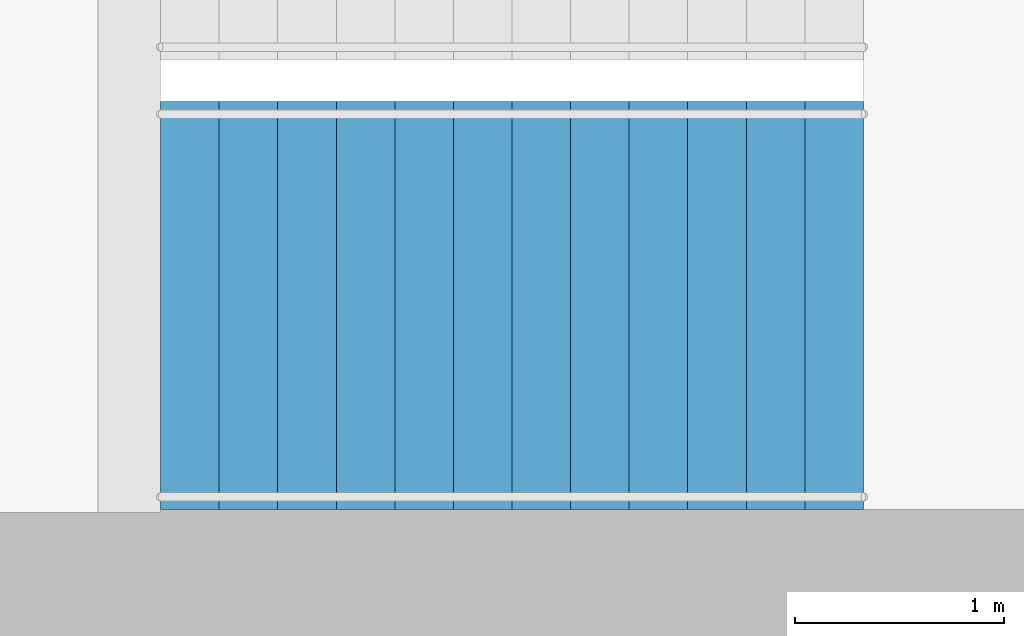
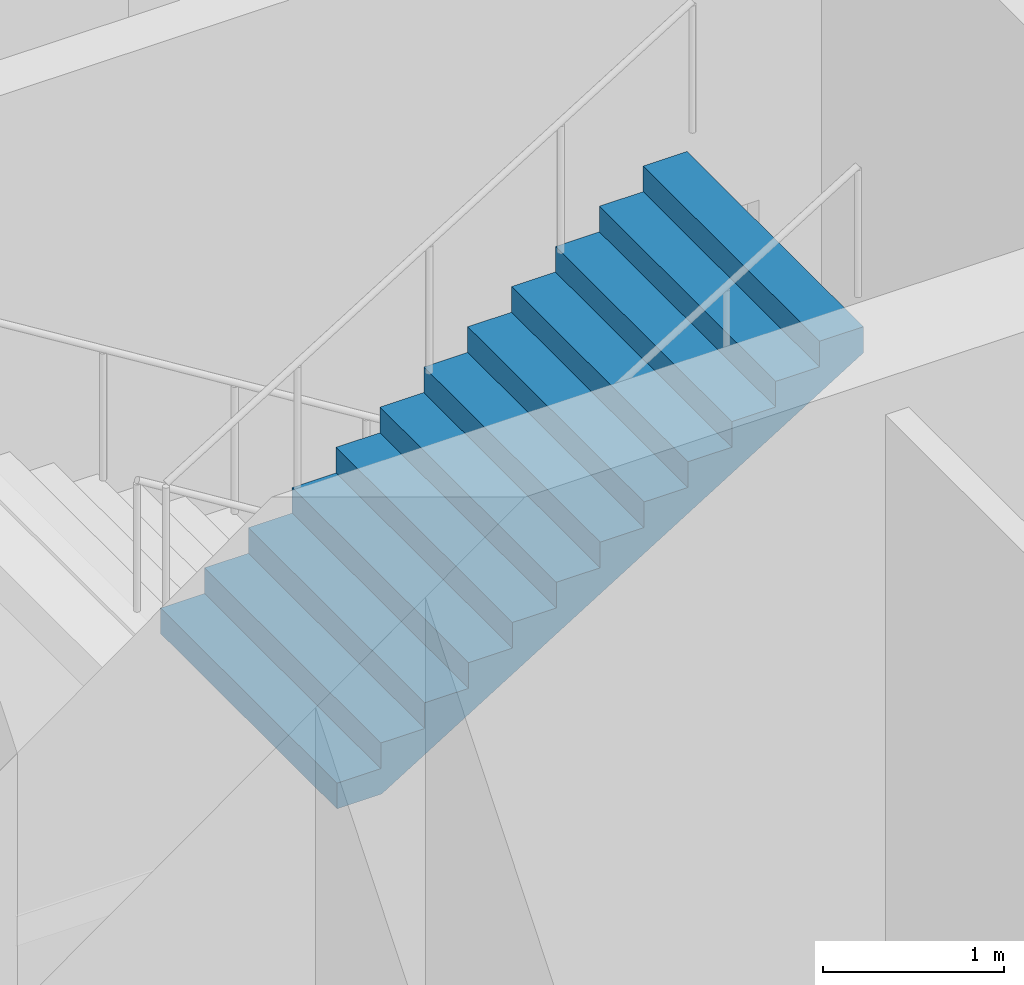
# One storey, part 24 of 35: 1 stair flight, 1 element without a shape of its own.
"""IFC4 building model written with IfcOpenShell, lengths in metres."""

from ifc_helpers import new_model, si_unit, direction, frame, origin, place, context, subcontext, project, spatial, triangles, material, type_object, element, aggregate, save


model = new_model("IFC4")

# Units and contexts
model_context = context("Model", 3, precision=1e-05, world=origin(), true_north=direction((0.0, 1.0)))
body_context = subcontext(model_context, "Body", "Model", "MODEL_VIEW")
ifc_project = project(units=[si_unit("LENGTHUNIT", "METRE"), si_unit("AREAUNIT", "SQUARE_METRE"), si_unit("VOLUMEUNIT", "CUBIC_METRE"), si_unit("PLANEANGLEUNIT", "RADIAN"), si_unit("MASSUNIT", "GRAM", prefix="KILO")], contexts=[model_context])

# Site, building, storey
site_placement = place(None, origin())
site = spatial("IfcSite", under=ifc_project, at=site_placement, CompositionType="ELEMENT")
building_placement = place(site_placement, origin())
building = spatial("IfcBuilding", under=site, at=building_placement, Name="Orbita Commons", CompositionType="ELEMENT")
storey_placement = place(building_placement, frame((0.0, 0.0, 208.300048828125)))
storey = spatial("IfcBuildingStorey", under=building, at=storey_placement, Name="L51", CompositionType="ELEMENT", Elevation=208.300048828125)

# Stair, stair flight
ifc_material_1 = material(Name="Precast concrete C40/50", Category="concrete")
stair_type = type_object("IfcStairType", Name="Exit stair S2 2 flights 13 risers 173", PredefinedType="HALF_TURN_STAIR", material=ifc_material_1)
stair_placement = place(storey_placement, origin())
stair = element("IfcStair", 1, at=stair_placement, inside=storey, type_object=stair_type, Name="Exit stair S2 L51", PredefinedType="HALF_TURN_STAIR")
ifc_material_2 = material(Name="Precast concrete C40/50", Category="concrete")
stair_flight_type = type_object("IfcStairFlightType", Name="Stair flight 13 risers 173 x 280", PredefinedType="STRAIGHT", material=ifc_material_2)
stair_flight_placement = place(storey_placement, frame((60.18994140625, 27.125, 2.25), z_axis=(0.0, 0.0, 1.0), x_axis=(1.0, 0.0, 0.0)))
stair_flight = element("IfcStairFlight", 2, at=stair_flight_placement, type_object=stair_flight_type, Name="S2 flight 2", NumberOfRisers=13, NumberOfTreads=12, PredefinedType="STRAIGHT", RiserHeight=0.173076923, TreadLength=0.28, context=body_context, shape_type="Tessellation", body=[
    triangles([(0.0, 0.974976, 0.0), (0.0, 0.974976, 0.021635), (0.0, 0.81248, 0.021635), (0.0, 0.81248, 0.0), (0.0, 0.649984, 0.021635), (0.0, 0.649984, 0.0), (0.0, 0.487488, 0.021635), (0.0, 0.487488, 0.0), (0.0, 0.324992, 0.021635), (0.0, 0.324992, 0.0), (0.0, 0.162496, 0.021635), (0.0, 0.162496, 0.0), (0.0, 0.0, 0.021635), (0.0, 0.0, 0.0), (0.0, -0.162496, 0.021635), (0.0, -0.162496, 0.0), (0.0, -0.324992, 0.021635), (0.0, -0.324992, 0.0), (0.0, -0.487488, 0.021635), (0.0, -0.487488, 0.0), (0.0, -0.649984, 0.021635), (0.0, -0.649984, 0.0), (0.0, -0.81248, 0.021635), (0.0, -0.81248, 0.0), (0.0, -0.974976, 0.021635), (0.0, -0.974976, 0.0), (0.0, 0.974976, 0.043269), (0.0, 0.81248, 0.043269), (0.0, 0.649984, 0.043269), (0.0, 0.487488, 0.043269), (0.0, 0.324992, 0.043269), (0.0, 0.162496, 0.043269), (0.0, 0.0, 0.043269), (0.0, -0.162496, 0.043269), (0.0, -0.324992, 0.043269), (0.0, -0.487488, 0.043269), (0.0, -0.649984, 0.043269), (0.0, -0.81248, 0.043269), (0.0, -0.974976, 0.043269), (0.0, 0.974976, 0.064904), (0.0, 0.81248, 0.064904), (0.0, 0.649984, 0.064904), (0.0, 0.487488, 0.064904), (0.0, 0.324992, 0.064904), (0.0, 0.162496, 0.064904), (0.0, 0.0, 0.064904), (0.0, -0.162496, 0.064904), (0.0, -0.324992, 0.064904), (0.0, -0.487488, 0.064904), (0.0, -0.649984, 0.064904), (0.0, -0.81248, 0.064904), (0.0, -0.974976, 0.064904), (0.0, 0.974976, 0.086538), (0.0, 0.81248, 0.086538), (0.0, 0.649984, 0.086538), (0.0, 0.487488, 0.086538), (0.0, 0.324992, 0.086538), (0.0, 0.162496, 0.086538), (0.0, 0.0, 0.086538), (0.0, -0.162496, 0.086538), (0.0, -0.324992, 0.086538), (0.0, -0.487488, 0.086538), (0.0, -0.649984, 0.086538), (0.0, -0.81248, 0.086538), (0.0, -0.974976, 0.086538), (0.0, 0.974976, 0.108173), (0.0, 0.81248, 0.108173), (0.0, 0.649984, 0.108173), (0.0, 0.487488, 0.108173), (0.0, 0.324992, 0.108173), (0.0, 0.162496, 0.108173), (0.0, 0.0, 0.108173), (0.0, -0.162496, 0.108173), (0.0, -0.324992, 0.108173), (0.0, -0.487488, 0.108173), (0.0, -0.649984, 0.108173), (0.0, -0.81248, 0.108173), (0.0, -0.974976, 0.108173), (0.0, 0.974976, 0.129808), (0.0, 0.81248, 0.129808), (0.0, 0.649984, 0.129808), (0.0, 0.487488, 0.129808), (0.0, 0.324992, 0.129808), (0.0, 0.162496, 0.129808), (0.0, 0.0, 0.129808), (0.0, -0.162496, 0.129808), (0.0, -0.324992, 0.129808), (0.0, -0.487488, 0.129808), (0.0, -0.649984, 0.129808), (0.0, -0.81248, 0.129808), (0.0, -0.974976, 0.129808), (0.0, 0.974976, 0.151442), (0.0, 0.81248, 0.151442), (0.0, 0.649984, 0.151442), (0.0, 0.487488, 0.151442), (0.0, 0.324992, 0.151442), (0.0, 0.162496, 0.151442), (0.0, 0.0, 0.151442), (0.0, -0.162496, 0.151442), (0.0, -0.324992, 0.151442), (0.0, -0.487488, 0.151442), (0.0, -0.649984, 0.151442), (0.0, -0.81248, 0.151442), (0.0, -0.974976, 0.151442), (0.0, 0.974976, 0.173077), (0.0, 0.81248, 0.173077), (0.0, 0.649984, 0.173077), (0.0, 0.487488, 0.173077), (0.0, 0.324992, 0.173077), (0.0, 0.162496, 0.173077), (0.0, 0.0, 0.173077), (0.0, -0.162496, 0.173077), (0.0, -0.324992, 0.173077), (0.0, -0.487488, 0.173077), (0.0, -0.649984, 0.173077), (0.0, -0.81248, 0.173077), (0.0, -0.974976, 0.173077), (0.28, 0.974976, 0.173077), (0.28, 0.81248, 0.173077), (0.28, 0.649984, 0.173077), (0.28, 0.487488, 0.173077), (0.28, 0.324992, 0.173077), (0.28, 0.162496, 0.173077), (0.28, 0.0, 0.173077), (0.28, -0.162496, 0.173077), (0.28, -0.324992, 0.173077), (0.28, -0.487488, 0.173077), (0.28, -0.649984, 0.173077), (0.28, -0.81248, 0.173077), (0.28, -0.974976, 0.173077), (0.28, 0.974976, 0.346154), (0.28, 0.81248, 0.346154), (0.28, 0.649984, 0.346154), (0.28, 0.487488, 0.346154), (0.28, 0.324992, 0.346154), (0.28, 0.162496, 0.346154), (0.28, 0.0, 0.346154), (0.28, -0.162496, 0.346154), (0.28, -0.324992, 0.346154), (0.28, -0.487488, 0.346154), (0.28, -0.649984, 0.346154), (0.28, -0.81248, 0.346154), (0.28, -0.974976, 0.346154), (0.56, 0.974976, 0.346154), (0.56, 0.81248, 0.346154), (0.56, 0.649984, 0.346154), (0.56, 0.487488, 0.346154), (0.56, 0.324992, 0.346154), (0.56, 0.162496, 0.346154), (0.56, 0.0, 0.346154), (0.56, -0.162496, 0.346154), (0.56, -0.324992, 0.346154), (0.56, -0.487488, 0.346154), (0.56, -0.649984, 0.346154), (0.56, -0.81248, 0.346154), (0.56, -0.974976, 0.346154), (0.56, 0.974976, 0.519231), (0.56, 0.81248, 0.519231), (0.56, 0.649984, 0.519231), (0.56, 0.487488, 0.519231), (0.56, 0.324992, 0.519231), (0.56, 0.162496, 0.519231), (0.56, 0.0, 0.519231), (0.56, -0.162496, 0.519231), (0.56, -0.324992, 0.519231), (0.56, -0.487488, 0.519231), (0.56, -0.649984, 0.519231), (0.56, -0.81248, 0.519231), (0.56, -0.974976, 0.519231), (0.84, 0.974976, 0.519231), (0.84, 0.81248, 0.519231), (0.84, 0.649984, 0.519231), (0.84, 0.487488, 0.519231), (0.84, 0.324992, 0.519231), (0.84, 0.162496, 0.519231), (0.84, 0.0, 0.519231), (0.84, -0.162496, 0.519231), (0.84, -0.324992, 0.519231), (0.84, -0.487488, 0.519231), (0.84, -0.649984, 0.519231), (0.84, -0.81248, 0.519231), (0.84, -0.974976, 0.519231), (0.84, 0.974976, 0.692308), (0.84, 0.81248, 0.692308), (0.84, 0.649984, 0.692308), (0.84, 0.487488, 0.692308), (0.84, 0.324992, 0.692308), (0.84, 0.162496, 0.692308), (0.84, 0.0, 0.692308), (0.84, -0.162496, 0.692308), (0.84, -0.324992, 0.692308), (0.84, -0.487488, 0.692308), (0.84, -0.649984, 0.692308), (0.84, -0.81248, 0.692308), (0.84, -0.974976, 0.692308), (1.12, 0.974976, 0.692308), (1.12, 0.81248, 0.692308), (1.12, 0.649984, 0.692308), (1.12, 0.487488, 0.692308), (1.12, 0.324992, 0.692308), (1.12, 0.162496, 0.692308), (1.12, 0.0, 0.692308), (1.12, -0.162496, 0.692308), (1.12, -0.324992, 0.692308), (1.12, -0.487488, 0.692308), (1.12, -0.649984, 0.692308), (1.12, -0.81248, 0.692308), (1.12, -0.974976, 0.692308), (1.12, 0.974976, 0.865385), (1.12, 0.81248, 0.865385), (1.12, 0.649984, 0.865385), (1.12, 0.487488, 0.865385), (1.12, 0.324992, 0.865385), (1.12, 0.162496, 0.865385), (1.12, 0.0, 0.865385), (1.12, -0.162496, 0.865385), (1.12, -0.324992, 0.865385), (1.12, -0.487488, 0.865385), (1.12, -0.649984, 0.865385), (1.12, -0.81248, 0.865385), (1.12, -0.974976, 0.865385), (1.4, 0.974976, 0.865385), (1.4, 0.81248, 0.865385), (1.4, 0.649984, 0.865385), (1.4, 0.487488, 0.865385), (1.4, 0.324992, 0.865385), (1.4, 0.162496, 0.865385), (1.4, 0.0, 0.865385), (1.4, -0.162496, 0.865385), (1.4, -0.324992, 0.865385), (1.4, -0.487488, 0.865385), (1.4, -0.649984, 0.865385), (1.4, -0.81248, 0.865385), (1.4, -0.974976, 0.865385), (1.4, 0.974976, 1.038462), (1.4, 0.81248, 1.038462), (1.4, 0.649984, 1.038462), (1.4, 0.487488, 1.038462), (1.4, 0.324992, 1.038462), (1.4, 0.162496, 1.038462), (1.4, 0.0, 1.038462), (1.4, -0.162496, 1.038462), (1.4, -0.324992, 1.038462), (1.4, -0.487488, 1.038462), (1.4, -0.649984, 1.038462), (1.4, -0.81248, 1.038462), (1.4, -0.974976, 1.038462), (1.68, 0.974976, 1.038462), (1.68, 0.81248, 1.038462), (1.68, 0.649984, 1.038462), (1.68, 0.487488, 1.038462), (1.68, 0.324992, 1.038462), (1.68, 0.162496, 1.038462), (1.68, 0.0, 1.038462), (1.68, -0.162496, 1.038462), (1.68, -0.324992, 1.038462), (1.68, -0.487488, 1.038462), (1.68, -0.649984, 1.038462), (1.68, -0.81248, 1.038462), (1.68, -0.974976, 1.038462), (1.68, 0.974976, 1.211538), (1.68, 0.81248, 1.211538), (1.68, 0.649984, 1.211538), (1.68, 0.487488, 1.211538), (1.68, 0.324992, 1.211538), (1.68, 0.162496, 1.211538), (1.68, 0.0, 1.211538), (1.68, -0.162496, 1.211538), (1.68, -0.324992, 1.211538), (1.68, -0.487488, 1.211538), (1.68, -0.649984, 1.211538), (1.68, -0.81248, 1.211538), (1.68, -0.974976, 1.211538), (1.96, 0.974976, 1.211538), (1.96, 0.81248, 1.211538), (1.96, 0.649984, 1.211538), (1.96, 0.487488, 1.211538), (1.96, 0.324992, 1.211538), (1.96, 0.162496, 1.211538), (1.96, 0.0, 1.211538), (1.96, -0.162496, 1.211538), (1.96, -0.324992, 1.211538), (1.96, -0.487488, 1.211538), (1.96, -0.649984, 1.211538), (1.96, -0.81248, 1.211538), (1.96, -0.974976, 1.211538), (1.96, 0.974976, 1.384615), (1.96, 0.81248, 1.384615), (1.96, 0.649984, 1.384615), (1.96, 0.487488, 1.384615), (1.96, 0.324992, 1.384615), (1.96, 0.162496, 1.384615), (1.96, 0.0, 1.384615), (1.96, -0.162496, 1.384615), (1.96, -0.324992, 1.384615), (1.96, -0.487488, 1.384615), (1.96, -0.649984, 1.384615), (1.96, -0.81248, 1.384615), (1.96, -0.974976, 1.384615), (2.24, 0.974976, 1.384615), (2.24, 0.81248, 1.384615), (2.24, 0.649984, 1.384615), (2.24, 0.487488, 1.384615), (2.24, 0.324992, 1.384615), (2.24, 0.162496, 1.384615), (2.24, 0.0, 1.384615), (2.24, -0.162496, 1.384615), (2.24, -0.324992, 1.384615), (2.24, -0.487488, 1.384615), (2.24, -0.649984, 1.384615), (2.24, -0.81248, 1.384615), (2.24, -0.974976, 1.384615), (2.24, 0.974976, 1.557692), (2.24, 0.81248, 1.557692), (2.24, 0.649984, 1.557692), (2.24, 0.487488, 1.557692), (2.24, 0.324992, 1.557692), (2.24, 0.162496, 1.557692), (2.24, 0.0, 1.557692), (2.24, -0.162496, 1.557692), (2.24, -0.324992, 1.557692), (2.24, -0.487488, 1.557692), (2.24, -0.649984, 1.557692), (2.24, -0.81248, 1.557692), (2.24, -0.974976, 1.557692), (2.52, 0.974976, 1.557692), (2.52, 0.81248, 1.557692), (2.52, 0.649984, 1.557692), (2.52, 0.487488, 1.557692), (2.52, 0.324992, 1.557692), (2.52, 0.162496, 1.557692), (2.52, 0.0, 1.557692), (2.52, -0.162496, 1.557692), (2.52, -0.324992, 1.557692), (2.52, -0.487488, 1.557692), (2.52, -0.649984, 1.557692), (2.52, -0.81248, 1.557692), (2.52, -0.974976, 1.557692), (2.52, 0.974976, 1.730769), (2.52, 0.81248, 1.730769), (2.52, 0.649984, 1.730769), (2.52, 0.487488, 1.730769), (2.52, 0.324992, 1.730769), (2.52, 0.162496, 1.730769), (2.52, 0.0, 1.730769), (2.52, -0.162496, 1.730769), (2.52, -0.324992, 1.730769), (2.52, -0.487488, 1.730769), (2.52, -0.649984, 1.730769), (2.52, -0.81248, 1.730769), (2.52, -0.974976, 1.730769), (2.8, 0.974976, 1.730769), (2.8, 0.81248, 1.730769), (2.8, 0.649984, 1.730769), (2.8, 0.487488, 1.730769), (2.8, 0.324992, 1.730769), (2.8, 0.162496, 1.730769), (2.8, 0.0, 1.730769), (2.8, -0.162496, 1.730769), (2.8, -0.324992, 1.730769), (2.8, -0.487488, 1.730769), (2.8, -0.649984, 1.730769), (2.8, -0.81248, 1.730769), (2.8, -0.974976, 1.730769), (2.8, 0.974976, 1.903846), (2.8, 0.81248, 1.903846), (2.8, 0.649984, 1.903846), (2.8, 0.487488, 1.903846), (2.8, 0.324992, 1.903846), (2.8, 0.162496, 1.903846), (2.8, 0.0, 1.903846), (2.8, -0.162496, 1.903846), (2.8, -0.324992, 1.903846), (2.8, -0.487488, 1.903846), (2.8, -0.649984, 1.903846), (2.8, -0.81248, 1.903846), (2.8, -0.974976, 1.903846), (3.08, 0.974976, 1.903846), (3.08, 0.81248, 1.903846), (3.08, 0.649984, 1.903846), (3.08, 0.487488, 1.903846), (3.08, 0.324992, 1.903846), (3.08, 0.162496, 1.903846), (3.08, 0.0, 1.903846), (3.08, -0.162496, 1.903846), (3.08, -0.324992, 1.903846), (3.08, -0.487488, 1.903846), (3.08, -0.649984, 1.903846), (3.08, -0.81248, 1.903846), (3.08, -0.974976, 1.903846), (3.08, 0.974976, 2.076923), (3.08, 0.81248, 2.076923), (3.08, 0.649984, 2.076923), (3.08, 0.487488, 2.076923), (3.08, 0.324992, 2.076923), (3.08, 0.162496, 2.076923), (3.08, 0.0, 2.076923), (3.08, -0.162496, 2.076923), (3.08, -0.324992, 2.076923), (3.08, -0.487488, 2.076923), (3.08, -0.649984, 2.076923), (3.08, -0.81248, 2.076923), (3.08, -0.974976, 2.076923), (3.36, 0.974976, 2.076923), (3.36, 0.81248, 2.076923), (3.36, 0.649984, 2.076923), (3.36, 0.487488, 2.076923), (3.36, 0.324992, 2.076923), (3.36, 0.162496, 2.076923), (3.36, 0.0, 2.076923), (3.36, -0.162496, 2.076923), (3.36, -0.324992, 2.076923), (3.36, -0.487488, 2.076923), (3.36, -0.649984, 2.076923), (3.36, -0.81248, 2.076923), (3.36, -0.974976, 2.076923), (3.36, 0.974976, 2.054895), (3.36, 0.81248, 2.054895), (3.36, 0.649984, 2.054895), (3.36, 0.487488, 2.054895), (3.36, 0.324992, 2.054895), (3.36, 0.162496, 2.054895), (3.36, 0.0, 2.054895), (3.36, -0.162496, 2.054895), (3.36, -0.324992, 2.054895), (3.36, -0.487488, 2.054895), (3.36, -0.649984, 2.054895), (3.36, -0.81248, 2.054895), (3.36, -0.974976, 2.054895), (3.36, 0.974976, 2.032866), (3.36, 0.81248, 2.032866), (3.36, 0.649984, 2.032866), (3.36, 0.487488, 2.032866), (3.36, 0.324992, 2.032866), (3.36, 0.162496, 2.032866), (3.36, 0.0, 2.032866), (3.36, -0.162496, 2.032866), (3.36, -0.324992, 2.032866), (3.36, -0.487488, 2.032866), (3.36, -0.649984, 2.032866), (3.36, -0.81248, 2.032866), (3.36, -0.974976, 2.032866), (3.36, 0.974976, 2.010837), (3.36, 0.81248, 2.010837), (3.36, 0.649984, 2.010837), (3.36, 0.487488, 2.010837), (3.36, 0.324992, 2.010837), (3.36, 0.162496, 2.010837), (3.36, 0.0, 2.010837), (3.36, -0.162496, 2.010837), (3.36, -0.324992, 2.010837), (3.36, -0.487488, 2.010837), (3.36, -0.649984, 2.010837), (3.36, -0.81248, 2.010837), (3.36, -0.974976, 2.010837), (3.36, 0.974976, 1.988809), (3.36, 0.81248, 1.988809), (3.36, 0.649984, 1.988809), (3.36, 0.487488, 1.988809), (3.36, 0.324992, 1.988809), (3.36, 0.162496, 1.988809), (3.36, 0.0, 1.988809), (3.36, -0.162496, 1.988809), (3.36, -0.324992, 1.988809), (3.36, -0.487488, 1.988809), (3.36, -0.649984, 1.988809), (3.36, -0.81248, 1.988809), (3.36, -0.974976, 1.988809), (3.36, 0.974976, 1.96678), (3.36, 0.81248, 1.96678), (3.36, 0.649984, 1.96678), (3.36, 0.487488, 1.96678), (3.36, 0.324992, 1.96678), (3.36, 0.162496, 1.96678), (3.36, 0.0, 1.96678), (3.36, -0.162496, 1.96678), (3.36, -0.324992, 1.96678), (3.36, -0.487488, 1.96678), (3.36, -0.649984, 1.96678), (3.36, -0.81248, 1.96678), (3.36, -0.974976, 1.96678), (3.36, 0.974976, 1.944752), (3.36, 0.81248, 1.944752), (3.36, 0.649984, 1.944752), (3.36, 0.487488, 1.944752), (3.36, 0.324992, 1.944752), (3.36, 0.162496, 1.944752), (3.36, 0.0, 1.944752), (3.36, -0.162496, 1.944752), (3.36, -0.324992, 1.944752), (3.36, -0.487488, 1.944752), (3.36, -0.649984, 1.944752), (3.36, -0.81248, 1.944752), (3.36, -0.974976, 1.944752), (3.36, 0.974976, 1.922723), (3.36, 0.81248, 1.922723), (3.36, 0.649984, 1.922723), (3.36, 0.487488, 1.922723), (3.36, 0.324992, 1.922723), (3.36, 0.162496, 1.922723), (3.36, 0.0, 1.922723), (3.36, -0.162496, 1.922723), (3.36, -0.324992, 1.922723), (3.36, -0.487488, 1.922723), (3.36, -0.649984, 1.922723), (3.36, -0.81248, 1.922723), (3.36, -0.974976, 1.922723), (3.36, 0.974976, 1.900695), (3.36, 0.81248, 1.900695), (3.36, 0.649984, 1.900695), (3.36, 0.487488, 1.900695), (3.36, 0.324992, 1.900695), (3.36, 0.162496, 1.900695), (3.36, 0.0, 1.900695), (3.36, -0.162496, 1.900695), (3.36, -0.324992, 1.900695), (3.36, -0.487488, 1.900695), (3.36, -0.649984, 1.900695), (3.36, -0.81248, 1.900695), (3.36, -0.974976, 1.900695), (0.285099, 0.974976, 0.0), (0.285099, 0.81248, 0.0), (0.285099, 0.649984, 0.0), (0.285099, 0.487488, 0.0), (0.285099, 0.324992, 0.0), (0.285099, 0.162496, 0.0), (0.285099, 0.0, 0.0), (0.285099, -0.162496, 0.0), (0.285099, -0.324992, 0.0), (0.285099, -0.487488, 0.0), (0.285099, -0.649984, 0.0), (0.285099, -0.81248, 0.0), (0.285099, -0.974976, 0.0)], [[3, 2, 1], [4, 3, 1], [5, 3, 4], [6, 5, 4], [7, 5, 6], [8, 7, 6], [9, 7, 8], [10, 9, 8], [11, 9, 10], [12, 11, 10], [13, 11, 12], [14, 13, 12], [15, 13, 14], [16, 15, 14], [17, 15, 16], [18, 17, 16], [19, 17, 18], [20, 19, 18], [21, 19, 20], [22, 21, 20], [23, 21, 22], [24, 23, 22], [25, 23, 24], [26, 25, 24], [28, 27, 2], [3, 28, 2], [29, 28, 3], [5, 29, 3], [30, 29, 5], [7, 30, 5], [31, 30, 7], [9, 31, 7], [32, 31, 9], [11, 32, 9], [33, 32, 11], [13, 33, 11], [34, 33, 13], [15, 34, 13], [35, 34, 15], [17, 35, 15], [36, 35, 17], [19, 36, 17], [37, 36, 19], [21, 37, 19], [38, 37, 21], [23, 38, 21], [39, 38, 23], [25, 39, 23], [41, 40, 27], [28, 41, 27], [42, 41, 28], [29, 42, 28], [43, 42, 29], [30, 43, 29], [44, 43, 30], [31, 44, 30], [45, 44, 31], [32, 45, 31], [46, 45, 32], [33, 46, 32], [47, 46, 33], [34, 47, 33], [48, 47, 34], [35, 48, 34], [49, 48, 35], [36, 49, 35], [50, 49, 36], [37, 50, 36], [51, 50, 37], [38, 51, 37], [52, 51, 38], [39, 52, 38], [54, 53, 40], [41, 54, 40], [55, 54, 41], [42, 55, 41], [56, 55, 42], [43, 56, 42], [57, 56, 43], [44, 57, 43], [58, 57, 44], [45, 58, 44], [59, 58, 45], [46, 59, 45], [60, 59, 46], [47, 60, 46], [61, 60, 47], [48, 61, 47], [62, 61, 48], [49, 62, 48], [63, 62, 49], [50, 63, 49], [64, 63, 50], [51, 64, 50], [65, 64, 51], [52, 65, 51], [67, 66, 53], [54, 67, 53], [68, 67, 54], [55, 68, 54], [69, 68, 55], [56, 69, 55], [70, 69, 56], [57, 70, 56], [71, 70, 57], [58, 71, 57], [72, 71, 58], [59, 72, 58], [73, 72, 59], [60, 73, 59], [74, 73, 60], [61, 74, 60], [75, 74, 61], [62, 75, 61], [76, 75, 62], [63, 76, 62], [77, 76, 63], [64, 77, 63], [78, 77, 64], [65, 78, 64], [80, 79, 66], [67, 80, 66], [81, 80, 67], [68, 81, 67], [82, 81, 68], [69, 82, 68], [83, 82, 69], [70, 83, 69], [84, 83, 70], [71, 84, 70], [85, 84, 71], [72, 85, 71], [86, 85, 72], [73, 86, 72], [87, 86, 73], [74, 87, 73], [88, 87, 74], [75, 88, 74], [89, 88, 75], [76, 89, 75], [90, 89, 76], [77, 90, 76], [91, 90, 77], [78, 91, 77], [93, 92, 79], [80, 93, 79], [94, 93, 80], [81, 94, 80], [95, 94, 81], [82, 95, 81], [96, 95, 82], [83, 96, 82], [97, 96, 83], [84, 97, 83], [98, 97, 84], [85, 98, 84], [99, 98, 85], [86, 99, 85], [100, 99, 86], [87, 100, 86], [101, 100, 87], [88, 101, 87], [102, 101, 88], [89, 102, 88], [103, 102, 89], [90, 103, 89], [104, 103, 90], [91, 104, 90], [106, 105, 92], [93, 106, 92], [107, 106, 93], [94, 107, 93], [108, 107, 94], [95, 108, 94], [109, 108, 95], [96, 109, 95], [110, 109, 96], [97, 110, 96], [111, 110, 97], [98, 111, 97], [112, 111, 98], [99, 112, 98], [113, 112, 99], [100, 113, 99], [114, 113, 100], [101, 114, 100], [115, 114, 101], [102, 115, 101], [116, 115, 102], [103, 116, 102], [117, 116, 103], [104, 117, 103], [119, 118, 105], [106, 119, 105], [120, 119, 106], [107, 120, 106], [121, 120, 107], [108, 121, 107], [122, 121, 108], [109, 122, 108], [123, 122, 109], [110, 123, 109], [124, 123, 110], [111, 124, 110], [125, 124, 111], [112, 125, 111], [126, 125, 112], [113, 126, 112], [127, 126, 113], [114, 127, 113], [128, 127, 114], [115, 128, 114], [129, 128, 115], [116, 129, 115], [130, 129, 116], [117, 130, 116], [132, 131, 118], [119, 132, 118], [133, 132, 119], [120, 133, 119], [134, 133, 120], [121, 134, 120], [135, 134, 121], [122, 135, 121], [136, 135, 122], [123, 136, 122], [137, 136, 123], [124, 137, 123], [138, 137, 124], [125, 138, 124], [139, 138, 125], [126, 139, 125], [140, 139, 126], [127, 140, 126], [141, 140, 127], [128, 141, 127], [142, 141, 128], [129, 142, 128], [143, 142, 129], [130, 143, 129], [145, 144, 131], [132, 145, 131], [146, 145, 132], [133, 146, 132], [147, 146, 133], [134, 147, 133], [148, 147, 134], [135, 148, 134], [149, 148, 135], [136, 149, 135], [150, 149, 136], [137, 150, 136], [151, 150, 137], [138, 151, 137], [152, 151, 138], [139, 152, 138], [153, 152, 139], [140, 153, 139], [154, 153, 140], [141, 154, 140], [155, 154, 141], [142, 155, 141], [156, 155, 142], [143, 156, 142], [158, 157, 144], [145, 158, 144], [159, 158, 145], [146, 159, 145], [160, 159, 146], [147, 160, 146], [161, 160, 147], [148, 161, 147], [162, 161, 148], [149, 162, 148], [163, 162, 149], [150, 163, 149], [164, 163, 150], [151, 164, 150], [165, 164, 151], [152, 165, 151], [166, 165, 152], [153, 166, 152], [167, 166, 153], [154, 167, 153], [168, 167, 154], [155, 168, 154], [169, 168, 155], [156, 169, 155], [171, 170, 157], [158, 171, 157], [172, 171, 158], [159, 172, 158], [173, 172, 159], [160, 173, 159], [174, 173, 160], [161, 174, 160], [175, 174, 161], [162, 175, 161], [176, 175, 162], [163, 176, 162], [177, 176, 163], [164, 177, 163], [178, 177, 164], [165, 178, 164], [179, 178, 165], [166, 179, 165], [180, 179, 166], [167, 180, 166], [181, 180, 167], [168, 181, 167], [182, 181, 168], [169, 182, 168], [184, 183, 170], [171, 184, 170], [185, 184, 171], [172, 185, 171], [186, 185, 172], [173, 186, 172], [187, 186, 173], [174, 187, 173], [188, 187, 174], [175, 188, 174], [189, 188, 175], [176, 189, 175], [190, 189, 176], [177, 190, 176], [191, 190, 177], [178, 191, 177], [192, 191, 178], [179, 192, 178], [193, 192, 179], [180, 193, 179], [194, 193, 180], [181, 194, 180], [195, 194, 181], [182, 195, 181], [197, 196, 183], [184, 197, 183], [198, 197, 184], [185, 198, 184], [199, 198, 185], [186, 199, 185], [200, 199, 186], [187, 200, 186], [201, 200, 187], [188, 201, 187], [202, 201, 188], [189, 202, 188], [203, 202, 189], [190, 203, 189], [204, 203, 190], [191, 204, 190], [205, 204, 191], [192, 205, 191], [206, 205, 192], [193, 206, 192], [207, 206, 193], [194, 207, 193], [208, 207, 194], [195, 208, 194], [210, 209, 196], [197, 210, 196], [211, 210, 197], [198, 211, 197], [212, 211, 198], [199, 212, 198], [213, 212, 199], [200, 213, 199], [214, 213, 200], [201, 214, 200], [215, 214, 201], [202, 215, 201], [216, 215, 202], [203, 216, 202], [217, 216, 203], [204, 217, 203], [218, 217, 204], [205, 218, 204], [219, 218, 205], [206, 219, 205], [220, 219, 206], [207, 220, 206], [221, 220, 207], [208, 221, 207], [223, 222, 209], [210, 223, 209], [224, 223, 210], [211, 224, 210], [225, 224, 211], [212, 225, 211], [226, 225, 212], [213, 226, 212], [227, 226, 213], [214, 227, 213], [228, 227, 214], [215, 228, 214], [229, 228, 215], [216, 229, 215], [230, 229, 216], [217, 230, 216], [231, 230, 217], [218, 231, 217], [232, 231, 218], [219, 232, 218], [233, 232, 219], [220, 233, 219], [234, 233, 220], [221, 234, 220], [236, 235, 222], [223, 236, 222], [237, 236, 223], [224, 237, 223], [238, 237, 224], [225, 238, 224], [239, 238, 225], [226, 239, 225], [240, 239, 226], [227, 240, 226], [241, 240, 227], [228, 241, 227], [242, 241, 228], [229, 242, 228], [243, 242, 229], [230, 243, 229], [244, 243, 230], [231, 244, 230], [245, 244, 231], [232, 245, 231], [246, 245, 232], [233, 246, 232], [247, 246, 233], [234, 247, 233], [249, 248, 235], [236, 249, 235], [250, 249, 236], [237, 250, 236], [251, 250, 237], [238, 251, 237], [252, 251, 238], [239, 252, 238], [253, 252, 239], [240, 253, 239], [254, 253, 240], [241, 254, 240], [255, 254, 241], [242, 255, 241], [256, 255, 242], [243, 256, 242], [257, 256, 243], [244, 257, 243], [258, 257, 244], [245, 258, 244], [259, 258, 245], [246, 259, 245], [260, 259, 246], [247, 260, 246], [262, 261, 248], [249, 262, 248], [263, 262, 249], [250, 263, 249], [264, 263, 250], [251, 264, 250], [265, 264, 251], [252, 265, 251], [266, 265, 252], [253, 266, 252], [267, 266, 253], [254, 267, 253], [268, 267, 254], [255, 268, 254], [269, 268, 255], [256, 269, 255], [270, 269, 256], [257, 270, 256], [271, 270, 257], [258, 271, 257], [272, 271, 258], [259, 272, 258], [273, 272, 259], [260, 273, 259], [275, 274, 261], [262, 275, 261], [276, 275, 262], [263, 276, 262], [277, 276, 263], [264, 277, 263], [278, 277, 264], [265, 278, 264], [279, 278, 265], [266, 279, 265], [280, 279, 266], [267, 280, 266], [281, 280, 267], [268, 281, 267], [282, 281, 268], [269, 282, 268], [283, 282, 269], [270, 283, 269], [284, 283, 270], [271, 284, 270], [285, 284, 271], [272, 285, 271], [286, 285, 272], [273, 286, 272], [288, 287, 274], [275, 288, 274], [289, 288, 275], [276, 289, 275], [290, 289, 276], [277, 290, 276], [291, 290, 277], [278, 291, 277], [292, 291, 278], [279, 292, 278], [293, 292, 279], [280, 293, 279], [294, 293, 280], [281, 294, 280], [295, 294, 281], [282, 295, 281], [296, 295, 282], [283, 296, 282], [297, 296, 283], [284, 297, 283], [298, 297, 284], [285, 298, 284], [299, 298, 285], [286, 299, 285], [301, 300, 287], [288, 301, 287], [302, 301, 288], [289, 302, 288], [303, 302, 289], [290, 303, 289], [304, 303, 290], [291, 304, 290], [305, 304, 291], [292, 305, 291], [306, 305, 292], [293, 306, 292], [307, 306, 293], [294, 307, 293], [308, 307, 294], [295, 308, 294], [309, 308, 295], [296, 309, 295], [310, 309, 296], [297, 310, 296], [311, 310, 297], [298, 311, 297], [312, 311, 298], [299, 312, 298], [314, 313, 300], [301, 314, 300], [315, 314, 301], [302, 315, 301], [316, 315, 302], [303, 316, 302], [317, 316, 303], [304, 317, 303], [318, 317, 304], [305, 318, 304], [319, 318, 305], [306, 319, 305], [320, 319, 306], [307, 320, 306], [321, 320, 307], [308, 321, 307], [322, 321, 308], [309, 322, 308], [323, 322, 309], [310, 323, 309], [324, 323, 310], [311, 324, 310], [325, 324, 311], [312, 325, 311], [327, 326, 313], [314, 327, 313], [328, 327, 314], [315, 328, 314], [329, 328, 315], [316, 329, 315], [330, 329, 316], [317, 330, 316], [331, 330, 317], [318, 331, 317], [332, 331, 318], [319, 332, 318], [333, 332, 319], [320, 333, 319], [334, 333, 320], [321, 334, 320], [335, 334, 321], [322, 335, 321], [336, 335, 322], [323, 336, 322], [337, 336, 323], [324, 337, 323], [338, 337, 324], [325, 338, 324], [340, 339, 326], [327, 340, 326], [341, 340, 327], [328, 341, 327], [342, 341, 328], [329, 342, 328], [343, 342, 329], [330, 343, 329], [344, 343, 330], [331, 344, 330], [345, 344, 331], [332, 345, 331], [346, 345, 332], [333, 346, 332], [347, 346, 333], [334, 347, 333], [348, 347, 334], [335, 348, 334], [349, 348, 335], [336, 349, 335], [350, 349, 336], [337, 350, 336], [351, 350, 337], [338, 351, 337], [353, 352, 339], [340, 353, 339], [354, 353, 340], [341, 354, 340], [355, 354, 341], [342, 355, 341], [356, 355, 342], [343, 356, 342], [357, 356, 343], [344, 357, 343], [358, 357, 344], [345, 358, 344], [359, 358, 345], [346, 359, 345], [360, 359, 346], [347, 360, 346], [361, 360, 347], [348, 361, 347], [362, 361, 348], [349, 362, 348], [363, 362, 349], [350, 363, 349], [364, 363, 350], [351, 364, 350], [366, 365, 352], [353, 366, 352], [367, 366, 353], [354, 367, 353], [368, 367, 354], [355, 368, 354], [369, 368, 355], [356, 369, 355], [370, 369, 356], [357, 370, 356], [371, 370, 357], [358, 371, 357], [372, 371, 358], [359, 372, 358], [373, 372, 359], [360, 373, 359], [374, 373, 360], [361, 374, 360], [375, 374, 361], [362, 375, 361], [376, 375, 362], [363, 376, 362], [377, 376, 363], [364, 377, 363], [379, 378, 365], [366, 379, 365], [380, 379, 366], [367, 380, 366], [381, 380, 367], [368, 381, 367], [382, 381, 368], [369, 382, 368], [383, 382, 369], [370, 383, 369], [384, 383, 370], [371, 384, 370], [385, 384, 371], [372, 385, 371], [386, 385, 372], [373, 386, 372], [387, 386, 373], [374, 387, 373], [388, 387, 374], [375, 388, 374], [389, 388, 375], [376, 389, 375], [390, 389, 376], [377, 390, 376], [392, 391, 378], [379, 392, 378], [393, 392, 379], [380, 393, 379], [394, 393, 380], [381, 394, 380], [395, 394, 381], [382, 395, 381], [396, 395, 382], [383, 396, 382], [397, 396, 383], [384, 397, 383], [398, 397, 384], [385, 398, 384], [399, 398, 385], [386, 399, 385], [400, 399, 386], [387, 400, 386], [401, 400, 387], [388, 401, 387], [402, 401, 388], [389, 402, 388], [403, 402, 389], [390, 403, 389], [405, 404, 391], [392, 405, 391], [406, 405, 392], [393, 406, 392], [407, 406, 393], [394, 407, 393], [408, 407, 394], [395, 408, 394], [409, 408, 395], [396, 409, 395], [410, 409, 396], [397, 410, 396], [411, 410, 397], [398, 411, 397], [412, 411, 398], [399, 412, 398], [413, 412, 399], [400, 413, 399], [414, 413, 400], [401, 414, 400], [415, 414, 401], [402, 415, 401], [416, 415, 402], [403, 416, 402], [418, 417, 404], [405, 418, 404], [419, 418, 405], [406, 419, 405], [420, 419, 406], [407, 420, 406], [421, 420, 407], [408, 421, 407], [422, 421, 408], [409, 422, 408], [423, 422, 409], [410, 423, 409], [424, 423, 410], [411, 424, 410], [425, 424, 411], [412, 425, 411], [426, 425, 412], [413, 426, 412], [427, 426, 413], [414, 427, 413], [428, 427, 414], [415, 428, 414], [429, 428, 415], [416, 429, 415], [431, 430, 417], [418, 431, 417], [432, 431, 418], [419, 432, 418], [433, 432, 419], [420, 433, 419], [434, 433, 420], [421, 434, 420], [435, 434, 421], [422, 435, 421], [436, 435, 422], [423, 436, 422], [437, 436, 423], [424, 437, 423], [438, 437, 424], [425, 438, 424], [439, 438, 425], [426, 439, 425], [440, 439, 426], [427, 440, 426], [441, 440, 427], [428, 441, 427], [442, 441, 428], [429, 442, 428], [444, 443, 430], [431, 444, 430], [445, 444, 431], [432, 445, 431], [446, 445, 432], [433, 446, 432], [447, 446, 433], [434, 447, 433], [448, 447, 434], [435, 448, 434], [449, 448, 435], [436, 449, 435], [450, 449, 436], [437, 450, 436], [451, 450, 437], [438, 451, 437], [452, 451, 438], [439, 452, 438], [453, 452, 439], [440, 453, 439], [454, 453, 440], [441, 454, 440], [455, 454, 441], [442, 455, 441], [457, 456, 443], [444, 457, 443], [458, 457, 444], [445, 458, 444], [459, 458, 445], [446, 459, 445], [460, 459, 446], [447, 460, 446], [461, 460, 447], [448, 461, 447], [462, 461, 448], [449, 462, 448], [463, 462, 449], [450, 463, 449], [464, 463, 450], [451, 464, 450], [465, 464, 451], [452, 465, 451], [466, 465, 452], [453, 466, 452], [467, 466, 453], [454, 467, 453], [468, 467, 454], [455, 468, 454], [470, 469, 456], [457, 470, 456], [471, 470, 457], [458, 471, 457], [472, 471, 458], [459, 472, 458], [473, 472, 459], [460, 473, 459], [474, 473, 460], [461, 474, 460], [475, 474, 461], [462, 475, 461], [476, 475, 462], [463, 476, 462], [477, 476, 463], [464, 477, 463], [478, 477, 464], [465, 478, 464], [479, 478, 465], [466, 479, 465], [480, 479, 466], [467, 480, 466], [481, 480, 467], [468, 481, 467], [483, 482, 469], [470, 483, 469], [484, 483, 470], [471, 484, 470], [485, 484, 471], [472, 485, 471], [486, 485, 472], [473, 486, 472], [487, 486, 473], [474, 487, 473], [488, 487, 474], [475, 488, 474], [489, 488, 475], [476, 489, 475], [490, 489, 476], [477, 490, 476], [491, 490, 477], [478, 491, 477], [492, 491, 478], [479, 492, 478], [493, 492, 479], [480, 493, 479], [494, 493, 480], [481, 494, 480], [496, 495, 482], [483, 496, 482], [497, 496, 483], [484, 497, 483], [498, 497, 484], [485, 498, 484], [499, 498, 485], [486, 499, 485], [500, 499, 486], [487, 500, 486], [501, 500, 487], [488, 501, 487], [502, 501, 488], [489, 502, 488], [503, 502, 489], [490, 503, 489], [504, 503, 490], [491, 504, 490], [505, 504, 491], [492, 505, 491], [506, 505, 492], [493, 506, 492], [507, 506, 493], [494, 507, 493], [509, 508, 495], [496, 509, 495], [510, 509, 496], [497, 510, 496], [511, 510, 497], [498, 511, 497], [512, 511, 498], [499, 512, 498], [513, 512, 499], [500, 513, 499], [514, 513, 500], [501, 514, 500], [515, 514, 501], [502, 515, 501], [516, 515, 502], [503, 516, 502], [517, 516, 503], [504, 517, 503], [518, 517, 504], [505, 518, 504], [519, 518, 505], [506, 519, 505], [520, 519, 506], [507, 520, 506], [522, 521, 508], [509, 522, 508], [523, 522, 509], [510, 523, 509], [524, 523, 510], [511, 524, 510], [525, 524, 511], [512, 525, 511], [526, 525, 512], [513, 526, 512], [527, 526, 513], [514, 527, 513], [528, 527, 514], [515, 528, 514], [529, 528, 515], [516, 529, 515], [530, 529, 516], [517, 530, 516], [531, 530, 517], [518, 531, 517], [532, 531, 518], [519, 532, 518], [533, 532, 519], [520, 533, 519], [4, 1, 521], [522, 4, 521], [6, 4, 522], [523, 6, 522], [8, 6, 523], [524, 8, 523], [10, 8, 524], [525, 10, 524], [12, 10, 525], [526, 12, 525], [14, 12, 526], [527, 14, 526], [16, 14, 527], [528, 16, 527], [18, 16, 528], [529, 18, 528], [20, 18, 529], [530, 20, 529], [22, 20, 530], [531, 22, 530], [24, 22, 531], [532, 24, 531], [26, 24, 532], [533, 26, 532], [508, 521, 1], [26, 533, 520], [495, 508, 1], [26, 520, 507], [482, 495, 1], [26, 507, 494], [469, 482, 1], [26, 494, 481], [456, 469, 1], [26, 481, 468], [443, 456, 1], [26, 468, 455], [430, 443, 1], [26, 455, 442], [417, 430, 1], [26, 442, 429], [391, 404, 417], [429, 416, 403], [378, 391, 417], [429, 403, 390], [352, 365, 378], [390, 377, 364], [352, 378, 417], [429, 390, 364], [326, 339, 352], [364, 351, 338], [326, 352, 417], [429, 364, 338], [300, 313, 326], [338, 325, 312], [300, 326, 417], [429, 338, 312], [274, 287, 300], [312, 299, 286], [274, 300, 417], [429, 312, 286], [248, 261, 274], [286, 273, 260], [248, 274, 417], [429, 286, 260], [222, 235, 248], [260, 247, 234], [222, 248, 417], [429, 260, 234], [196, 209, 222], [234, 221, 208], [196, 222, 417], [429, 234, 208], [170, 183, 196], [208, 195, 182], [170, 196, 417], [429, 208, 182], [144, 157, 170], [182, 169, 156], [144, 170, 417], [429, 182, 156], [118, 131, 144], [156, 143, 130], [118, 144, 417], [429, 156, 130], [118, 417, 1], [26, 429, 130], [92, 105, 118], [130, 117, 104], [79, 92, 118], [130, 104, 91], [66, 79, 118], [130, 91, 78], [53, 66, 118], [130, 78, 65], [40, 53, 118], [130, 65, 52], [27, 40, 118], [130, 52, 39], [2, 27, 118], [130, 39, 25], [1, 2, 118], [130, 25, 26]], closed=True),
])
aggregate(stair, [stair_flight])

save(model, "model.ifc")
